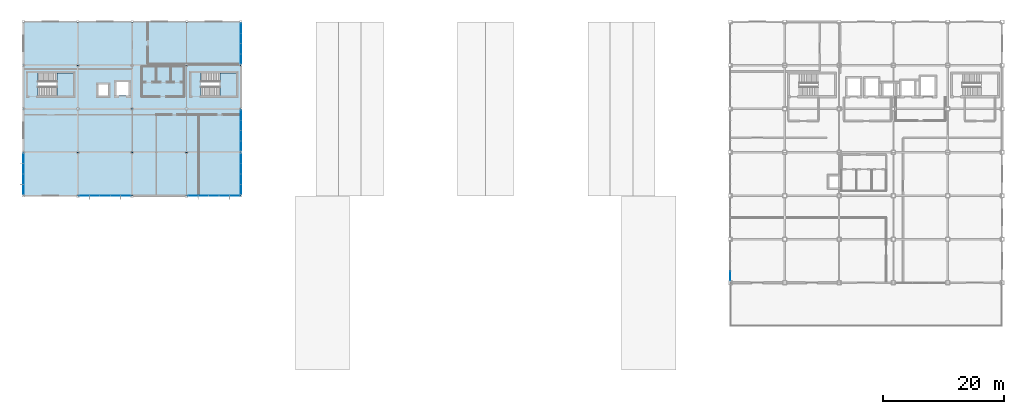
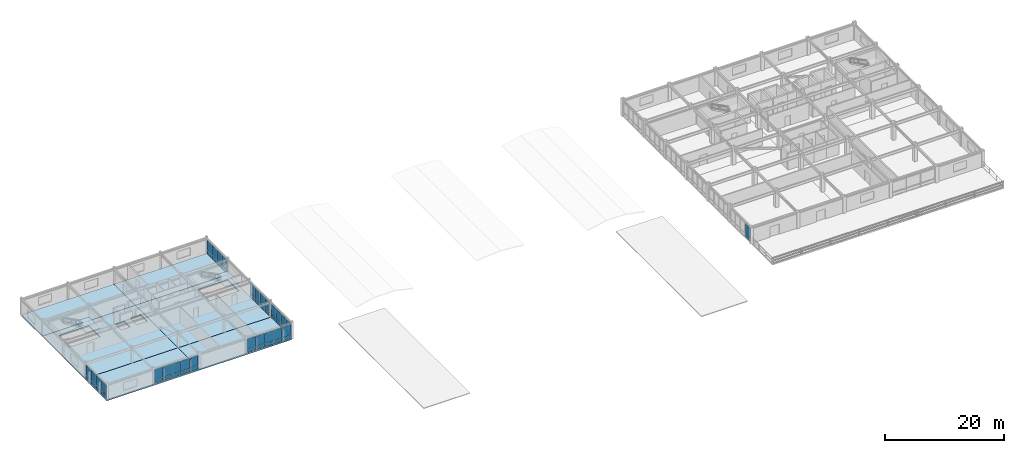
# One storey, part 24 of 34: 54 plates, 8 slabs, 9 elements without a shape of their own.
"""IFC4 building model written with IfcOpenShell, lengths in metres."""

from ifc_helpers import new_model, si_unit, direction, frame, origin, origin_2d, place, context, subcontext, project, spatial, polyline, rectangle, outline, extrude, material, layer, layer_set, type_object, element, aggregate, save


model = new_model("IFC4")

# Units and contexts
model_context = context("Model", 3, precision=1e-05, world=origin(), true_north=direction((0.0, 1.0)))
body_context = subcontext(model_context, "Body", "Model", "MODEL_VIEW")
ifc_project = project(units=[si_unit("LENGTHUNIT", "METRE"), si_unit("AREAUNIT", "SQUARE_METRE"), si_unit("VOLUMEUNIT", "CUBIC_METRE"), si_unit("PLANEANGLEUNIT", "RADIAN"), si_unit("MASSUNIT", "GRAM", prefix="KILO")], contexts=[model_context])

# Site, building, storey
site_placement = place(None, origin())
site = spatial("IfcSite", under=ifc_project, at=site_placement, CompositionType="ELEMENT")
building_placement = place(site_placement, origin())
building = spatial("IfcBuilding", under=site, at=building_placement, Name="Kazanami Central Library", CompositionType="ELEMENT")
storey_placement = place(building_placement, frame((0.0, 0.0, 17.0)))
storey = spatial("IfcBuildingStorey", under=building, at=storey_placement, Name="L05", CompositionType="ELEMENT", Elevation=17.0)

# Curtain wall, plates
ifc_material_1 = material(Name="Acid-Etched Low-E Laminated Glass", Category="glass")
curtain_wall_type_1 = type_object("IfcCurtainWallType", Name="CW-8600x2950-M180", PredefinedType="USERDEFINED", material=ifc_material_1)
curtain_wall_1_placement = place(storey_placement, origin())
curtain_wall_1 = element("IfcCurtainWall", 1, at=curtain_wall_1_placement, inside=storey, type_object=curtain_wall_type_1, Name="Unitised Curtain Wall CW-50 L05 S-K-01", ObjectType="UNITISED CURTAIN WALL", PredefinedType="USERDEFINED")
ifc_layer_1 = layer(ifc_material_1, 0.0439453125, Name="Acid-Etched Low-E Laminated Glass")
ifc_layer_set_1 = layer_set([ifc_layer_1], Name="Acid-Etched Low-E Laminated Glass")
plate_type_1 = type_object("IfcPlateType", Name="PLT-CW-P2", PredefinedType="CURTAIN_PANEL", material=ifc_layer_set_1)
plate_1_placement = place(storey_placement, frame((10.074951171875, 64.800048828125, 0.81005859375), z_axis=(0.0, 0.0, 1.0), x_axis=(1.0, 0.0, 0.0)))
plate_1 = element("IfcPlate", 2, at=plate_1_placement, type_object=plate_type_1, Name="CW-50 panel 1.2", PredefinedType="CURTAIN_PANEL", context=body_context, shape_type="SweptSolid", body=[
    extrude(rectangle(XDim=1.6298828125, YDim=0.0439453125, at=origin_2d()), origin(), (0.0, 0.0, 1.0), 2.080078125),
])
plate_2_placement = place(storey_placement, frame((11.780029296875, 64.800048828125, 0.81005859375), z_axis=(0.0, 0.0, 1.0), x_axis=(1.0, 0.0, 0.0)))
plate_2 = element("IfcPlate", 3, at=plate_2_placement, type_object=plate_type_1, Name="CW-50 panel 2.2", PredefinedType="CURTAIN_PANEL", context=body_context, shape_type="SweptSolid", body=[
    extrude(rectangle(XDim=1.659912109375, YDim=0.0439453125, at=origin_2d()), origin(), (0.0, 0.0, 1.0), 2.080078125),
])
plate_3_placement = place(storey_placement, frame((13.5, 64.800048828125, 0.81005859375), z_axis=(0.0, 0.0, 1.0), x_axis=(1.0, 0.0, 0.0)))
plate_3 = element("IfcPlate", 4, at=plate_3_placement, type_object=plate_type_1, Name="CW-50 panel 3.2", PredefinedType="CURTAIN_PANEL", context=body_context, shape_type="SweptSolid", body=[
    extrude(rectangle(XDim=1.659912109375, YDim=0.0439453125, at=origin_2d()), origin(), (0.0, 0.0, 1.0), 2.080078125),
])
plate_4_placement = place(storey_placement, frame((15.219970703125, 64.800048828125, 0.81005859375), z_axis=(0.0, 0.0, 1.0), x_axis=(1.0, 0.0, 0.0)))
plate_4 = element("IfcPlate", 5, at=plate_4_placement, type_object=plate_type_1, Name="CW-50 panel 4.2", PredefinedType="CURTAIN_PANEL", context=body_context, shape_type="SweptSolid", body=[
    extrude(rectangle(XDim=1.659912109375, YDim=0.0439453125, at=origin_2d()), origin(), (0.0, 0.0, 1.0), 2.080078125),
])
plate_5_placement = place(storey_placement, frame((16.925048828125, 64.800048828125, 0.81005859375), z_axis=(0.0, 0.0, 1.0), x_axis=(1.0, 0.0, 0.0)))
plate_5 = element("IfcPlate", 6, at=plate_5_placement, type_object=plate_type_1, Name="CW-50 panel 5.2", PredefinedType="CURTAIN_PANEL", context=body_context, shape_type="SweptSolid", body=[
    extrude(rectangle(XDim=1.6298828125, YDim=0.0439453125, at=origin_2d()), origin(), (0.0, 0.0, 1.0), 2.080078125),
])

curtain_wall_type_2 = type_object("IfcCurtainWallType", Name="CW-8625x2950-M180", PredefinedType="USERDEFINED", material=ifc_material_1)
curtain_wall_2_placement = place(storey_placement, origin())
curtain_wall_2 = element("IfcCurtainWall", 7, at=curtain_wall_2_placement, inside=storey, type_object=curtain_wall_type_2, Name="Unitised Curtain Wall CW-51 L05 S-K-03", ObjectType="UNITISED CURTAIN WALL", PredefinedType="USERDEFINED")
plate_6_placement = place(storey_placement, frame((28.077392578125, 64.800048828125, 0.81005859375), z_axis=(0.0, 0.0, 1.0), x_axis=(1.0, 0.0, 0.0)))
plate_6 = element("IfcPlate", 8, at=plate_6_placement, type_object=plate_type_1, Name="CW-51 panel 1.2", PredefinedType="CURTAIN_PANEL", context=body_context, shape_type="SweptSolid", body=[
    extrude(rectangle(XDim=1.635009765625, YDim=0.0439453125, at=origin_2d()), origin(), (0.0, 0.0, 1.0), 2.080078125),
])
plate_7_placement = place(storey_placement, frame((29.78759765625, 64.800048828125, 0.81005859375), z_axis=(0.0, 0.0, 1.0), x_axis=(1.0, 0.0, 0.0)))
plate_7 = element("IfcPlate", 9, at=plate_7_placement, type_object=plate_type_1, Name="CW-51 panel 2.2", PredefinedType="CURTAIN_PANEL", context=body_context, shape_type="SweptSolid", body=[
    extrude(rectangle(XDim=1.6650390625, YDim=0.0439453125, at=origin_2d()), origin(), (0.0, 0.0, 1.0), 2.080078125),
])
plate_8_placement = place(storey_placement, frame((31.512451171875, 64.800048828125, 0.81005859375), z_axis=(0.0, 0.0, 1.0), x_axis=(1.0, 0.0, 0.0)))
plate_8 = element("IfcPlate", 10, at=plate_8_placement, type_object=plate_type_1, Name="CW-51 panel 3.2", PredefinedType="CURTAIN_PANEL", context=body_context, shape_type="SweptSolid", body=[
    extrude(rectangle(XDim=1.6650390625, YDim=0.0439453125, at=origin_2d()), origin(), (0.0, 0.0, 1.0), 2.080078125),
])
plate_9_placement = place(storey_placement, frame((33.237548828125, 64.800048828125, 0.81005859375), z_axis=(0.0, 0.0, 1.0), x_axis=(1.0, 0.0, 0.0)))
plate_9 = element("IfcPlate", 11, at=plate_9_placement, type_object=plate_type_1, Name="CW-51 panel 4.2", PredefinedType="CURTAIN_PANEL", context=body_context, shape_type="SweptSolid", body=[
    extrude(rectangle(XDim=1.6650390625, YDim=0.0439453125, at=origin_2d()), origin(), (0.0, 0.0, 1.0), 2.080078125),
])
plate_10_placement = place(storey_placement, frame((34.947509765625, 64.800048828125, 0.81005859375), z_axis=(0.0, 0.0, 1.0), x_axis=(1.0, 0.0, 0.0)))
plate_10 = element("IfcPlate", 12, at=plate_10_placement, type_object=plate_type_1, Name="CW-51 panel 5.2", PredefinedType="CURTAIN_PANEL", context=body_context, shape_type="SweptSolid", body=[
    extrude(rectangle(XDim=1.635009765625, YDim=0.0439453125, at=origin_2d()), origin(), (0.0, 0.0, 1.0), 2.080078125),
])

curtain_wall_type_3 = type_object("IfcCurtainWallType", Name="CW-6850x2940-M180", PredefinedType="USERDEFINED", material=ifc_material_1)
curtain_wall_3_placement = place(storey_placement, origin())
curtain_wall_3 = element("IfcCurtainWall", 13, at=curtain_wall_3_placement, inside=storey, type_object=curtain_wall_type_3, Name="Unitised Curtain Wall CW-52 L05 W-1-09", ObjectType="UNITISED CURTAIN WALL", PredefinedType="USERDEFINED")
plate_11_placement = place(storey_placement, frame((0.0, 65.84619140625, 0.81005859375), z_axis=(0.0, 0.0, 1.0), x_axis=(0.0, 1.0, 0.0)))
plate_11 = element("IfcPlate", 14, at=plate_11_placement, type_object=plate_type_1, Name="CW-52 panel 1.2", PredefinedType="CURTAIN_PANEL", context=body_context, shape_type="SweptSolid", body=[
    extrude(rectangle(XDim=1.62255859375, YDim=0.0439453125, at=origin_2d()), origin(), (0.0, 0.0, 1.0), 2.070068359375),
])
plate_12_placement = place(storey_placement, frame((0.0, 67.543701171875, 0.81005859375), z_axis=(0.0, 0.0, 1.0), x_axis=(0.0, 1.0, 0.0)))
plate_12 = element("IfcPlate", 15, at=plate_12_placement, type_object=plate_type_1, Name="CW-52 panel 2.2", PredefinedType="CURTAIN_PANEL", context=body_context, shape_type="SweptSolid", body=[
    extrude(rectangle(XDim=1.652587890625, YDim=0.0439453125, at=origin_2d()), origin(), (0.0, 0.0, 1.0), 2.070068359375),
])
plate_13_placement = place(storey_placement, frame((0.0, 69.25634765625, 0.81005859375), z_axis=(0.0, 0.0, 1.0), x_axis=(0.0, 1.0, 0.0)))
plate_13 = element("IfcPlate", 16, at=plate_13_placement, type_object=plate_type_1, Name="CW-52 panel 3.2", PredefinedType="CURTAIN_PANEL", context=body_context, shape_type="SweptSolid", body=[
    extrude(rectangle(XDim=1.652587890625, YDim=0.0439453125, at=origin_2d()), origin(), (0.0, 0.0, 1.0), 2.070068359375),
])
plate_14_placement = place(storey_placement, frame((0.0, 70.953857421875, 0.81005859375), z_axis=(0.0, 0.0, 1.0), x_axis=(0.0, 1.0, 0.0)))
plate_14 = element("IfcPlate", 17, at=plate_14_placement, type_object=plate_type_1, Name="CW-52 panel 4.2", PredefinedType="CURTAIN_PANEL", context=body_context, shape_type="SweptSolid", body=[
    extrude(rectangle(XDim=1.62255859375, YDim=0.0439453125, at=origin_2d()), origin(), (0.0, 0.0, 1.0), 2.070068359375),
])

curtain_wall_4_placement = place(storey_placement, origin())
curtain_wall_4 = element("IfcCurtainWall", 18, at=curtain_wall_4_placement, inside=storey, type_object=curtain_wall_type_3, Name="Covered Link Bridge Curtain Wall CW-52 L05 E-5-09", ObjectType="UNITISED CURTAIN WALL", PredefinedType="USERDEFINED")
ifc_material_2 = material(Name="Low-E Insulated Triple Glass", Category="glass")
ifc_layer_2 = layer(ifc_material_2, 0.0400390625, Name="Low-E Insulated Triple Glass")
ifc_layer_set_2 = layer_set([ifc_layer_2], Name="Low-E Insulated Triple Glass")
plate_type_2 = type_object("IfcPlateType", Name="PLT-CW-P3", PredefinedType="CURTAIN_PANEL", material=ifc_layer_set_2)
plate_15_placement = place(storey_placement, frame((36.0, 70.953857421875, 0.81005859375), z_axis=(0.0, 0.0, 1.0), x_axis=(0.0, -1.0, 0.0)))
plate_15 = element("IfcPlate", 19, at=plate_15_placement, type_object=plate_type_2, Name="CW-52 panel 1.2", PredefinedType="CURTAIN_PANEL", context=body_context, shape_type="SweptSolid", body=[
    extrude(rectangle(XDim=1.62255859375, YDim=0.0400390625, at=origin_2d()), origin(), (0.0, 0.0, 1.0), 2.070068359375),
])
plate_16_placement = place(storey_placement, frame((36.0, 69.25634765625, 0.81005859375), z_axis=(0.0, 0.0, 1.0), x_axis=(0.0, -1.0, 0.0)))
plate_16 = element("IfcPlate", 20, at=plate_16_placement, type_object=plate_type_2, Name="CW-52 panel 2.2", PredefinedType="CURTAIN_PANEL", context=body_context, shape_type="SweptSolid", body=[
    extrude(rectangle(XDim=1.652587890625, YDim=0.0400390625, at=origin_2d()), origin(), (0.0, 0.0, 1.0), 2.070068359375),
])
plate_17_placement = place(storey_placement, frame((36.0, 67.543701171875, 0.81005859375), z_axis=(0.0, 0.0, 1.0), x_axis=(0.0, -1.0, 0.0)))
plate_17 = element("IfcPlate", 21, at=plate_17_placement, type_object=plate_type_2, Name="CW-52 panel 3.2", PredefinedType="CURTAIN_PANEL", context=body_context, shape_type="SweptSolid", body=[
    extrude(rectangle(XDim=1.652587890625, YDim=0.0400390625, at=origin_2d()), origin(), (0.0, 0.0, 1.0), 2.070068359375),
])
plate_18_placement = place(storey_placement, frame((36.0, 65.84619140625, 0.81005859375), z_axis=(0.0, 0.0, 1.0), x_axis=(0.0, -1.0, 0.0)))
plate_18 = element("IfcPlate", 22, at=plate_18_placement, type_object=plate_type_2, Name="CW-52 panel 4.2", PredefinedType="CURTAIN_PANEL", context=body_context, shape_type="SweptSolid", body=[
    extrude(rectangle(XDim=1.62255859375, YDim=0.0400390625, at=origin_2d()), origin(), (0.0, 0.0, 1.0), 2.070068359375),
])

curtain_wall_5_placement = place(storey_placement, origin())
curtain_wall_5 = element("IfcCurtainWall", 23, at=curtain_wall_5_placement, inside=storey, type_object=curtain_wall_type_3, Name="Covered Link Bridge Curtain Wall CW-52 L05 E-5-10", ObjectType="UNITISED CURTAIN WALL", PredefinedType="USERDEFINED")
plate_19_placement = place(storey_placement, frame((36.0, 78.15380859375, 0.81005859375), z_axis=(0.0, 0.0, 1.0), x_axis=(0.0, -1.0, 0.0)))
plate_19 = element("IfcPlate", 24, at=plate_19_placement, type_object=plate_type_2, Name="CW-52 panel 1.2", PredefinedType="CURTAIN_PANEL", context=body_context, shape_type="SweptSolid", body=[
    extrude(rectangle(XDim=1.62255859375, YDim=0.0400390625, at=origin_2d()), origin(), (0.0, 0.0, 1.0), 2.070068359375),
])
plate_20_placement = place(storey_placement, frame((36.0, 76.456298828125, 0.81005859375), z_axis=(0.0, 0.0, 1.0), x_axis=(0.0, -1.0, 0.0)))
plate_20 = element("IfcPlate", 25, at=plate_20_placement, type_object=plate_type_2, Name="CW-52 panel 2.2", PredefinedType="CURTAIN_PANEL", context=body_context, shape_type="SweptSolid", body=[
    extrude(rectangle(XDim=1.652587890625, YDim=0.0400390625, at=origin_2d()), origin(), (0.0, 0.0, 1.0), 2.070068359375),
])
plate_21_placement = place(storey_placement, frame((36.0, 74.74365234375, 0.81005859375), z_axis=(0.0, 0.0, 1.0), x_axis=(0.0, -1.0, 0.0)))
plate_21 = element("IfcPlate", 26, at=plate_21_placement, type_object=plate_type_2, Name="CW-52 panel 3.2", PredefinedType="CURTAIN_PANEL", context=body_context, shape_type="SweptSolid", body=[
    extrude(rectangle(XDim=1.652587890625, YDim=0.0400390625, at=origin_2d()), origin(), (0.0, 0.0, 1.0), 2.070068359375),
])
plate_22_placement = place(storey_placement, frame((36.0, 73.046142578125, 0.81005859375), z_axis=(0.0, 0.0, 1.0), x_axis=(0.0, -1.0, 0.0)))
plate_22 = element("IfcPlate", 27, at=plate_22_placement, type_object=plate_type_2, Name="CW-52 panel 4.2", PredefinedType="CURTAIN_PANEL", context=body_context, shape_type="SweptSolid", body=[
    extrude(rectangle(XDim=1.62255859375, YDim=0.0400390625, at=origin_2d()), origin(), (0.0, 0.0, 1.0), 2.070068359375),
])

curtain_wall_6_placement = place(storey_placement, origin())
curtain_wall_6 = element("IfcCurtainWall", 28, at=curtain_wall_6_placement, inside=storey, type_object=curtain_wall_type_3, Name="Covered Link Bridge Curtain Wall CW-52 L05 E-5-12", ObjectType="UNITISED CURTAIN WALL", PredefinedType="USERDEFINED")
plate_23_placement = place(storey_placement, frame((36.0, 92.5537109375, 0.81005859375), z_axis=(0.0, 0.0, 1.0), x_axis=(0.0, -1.0, 0.0)))
plate_23 = element("IfcPlate", 29, at=plate_23_placement, type_object=plate_type_2, Name="CW-52 panel 1.2", PredefinedType="CURTAIN_PANEL", context=body_context, shape_type="SweptSolid", body=[
    extrude(rectangle(XDim=1.62255859375, YDim=0.0400390625, at=origin_2d()), origin(), (0.0, 0.0, 1.0), 2.070068359375),
])
plate_24_placement = place(storey_placement, frame((36.0, 90.856201171875, 0.81005859375), z_axis=(0.0, 0.0, 1.0), x_axis=(0.0, -1.0, 0.0)))
plate_24 = element("IfcPlate", 30, at=plate_24_placement, type_object=plate_type_2, Name="CW-52 panel 2.2", PredefinedType="CURTAIN_PANEL", context=body_context, shape_type="SweptSolid", body=[
    extrude(rectangle(XDim=1.652587890625, YDim=0.0400390625, at=origin_2d()), origin(), (0.0, 0.0, 1.0), 2.070068359375),
])
plate_25_placement = place(storey_placement, frame((36.0, 89.143798828125, 0.81005859375), z_axis=(0.0, 0.0, 1.0), x_axis=(0.0, -1.0, 0.0)))
plate_25 = element("IfcPlate", 31, at=plate_25_placement, type_object=plate_type_2, Name="CW-52 panel 3.2", PredefinedType="CURTAIN_PANEL", context=body_context, shape_type="SweptSolid", body=[
    extrude(rectangle(XDim=1.652587890625, YDim=0.0400390625, at=origin_2d()), origin(), (0.0, 0.0, 1.0), 2.070068359375),
])
plate_26_placement = place(storey_placement, frame((36.0, 87.4462890625, 0.81005859375), z_axis=(0.0, 0.0, 1.0), x_axis=(0.0, -1.0, 0.0)))
plate_26 = element("IfcPlate", 32, at=plate_26_placement, type_object=plate_type_2, Name="CW-52 panel 4.2", PredefinedType="CURTAIN_PANEL", context=body_context, shape_type="SweptSolid", body=[
    extrude(rectangle(XDim=1.62255859375, YDim=0.0400390625, at=origin_2d()), origin(), (0.0, 0.0, 1.0), 2.070068359375),
])

# Curtain wall, plate
curtain_wall_type_4 = type_object("IfcCurtainWallType", Name="CW-6600x2960-M180", PredefinedType="USERDEFINED", material=ifc_material_1)
curtain_wall_7_placement = place(storey_placement, origin())
curtain_wall_7 = element("IfcCurtainWall", 33, at=curtain_wall_7_placement, inside=storey, type_object=curtain_wall_type_4, Name="Covered Link Bridge Curtain Wall CW-53 L05 W-14-07", ObjectType="UNITISED CURTAIN WALL", PredefinedType="USERDEFINED")
plate_27_placement = place(storey_placement, frame((117.0, 51.5400390625, 0.81005859375), z_axis=(0.0, 0.0, 1.0), x_axis=(0.0, 1.0, 0.0)))
plate_27 = element("IfcPlate", 34, at=plate_27_placement, type_object=plate_type_2, Name="CW-53 panel 1.2", PredefinedType="CURTAIN_PANEL", context=body_context, shape_type="SweptSolid", body=[
    extrude(rectangle(XDim=1.56005859375, YDim=0.0400390625, at=origin_2d()), origin(), (0.0, 0.0, 1.0), 2.090087890625),
])

# Plate
ifc_material_3 = material(Name="Anodised Aluminium A5052-H32", Category="aluminium")
ifc_layer_3 = layer(ifc_material_3, 0.052001953125, Name="Anodised Aluminium A5052-H32")
ifc_layer_set_3 = layer_set([ifc_layer_3], Name="Anodised Aluminium A5052-H32")
plate_type_3 = type_object("IfcPlateType", Name="PLT-CW-SP2", PredefinedType="CURTAIN_PANEL", material=ifc_layer_set_3)
plate_28_placement = place(storey_placement, frame((36.0, 70.953857421875, 0.06005859375), z_axis=(0.0, 0.0, 1.0), x_axis=(0.0, -1.0, 0.0)))
plate_28 = element("IfcPlate", 35, at=plate_28_placement, type_object=plate_type_3, Name="CW-52 panel 1.1", PredefinedType="CURTAIN_PANEL", context=body_context, shape_type="SweptSolid", body=[
    extrude(rectangle(XDim=1.62255859375, YDim=0.052001953125, at=origin_2d()), origin(), (0.0, 0.0, 1.0), 0.68994140625),
])

plate_29_placement = place(storey_placement, frame((36.0, 69.25634765625, 0.06005859375), z_axis=(0.0, 0.0, 1.0), x_axis=(0.0, -1.0, 0.0)))
plate_29 = element("IfcPlate", 36, at=plate_29_placement, type_object=plate_type_3, Name="CW-52 panel 2.1", PredefinedType="CURTAIN_PANEL", context=body_context, shape_type="SweptSolid", body=[
    extrude(rectangle(XDim=1.652587890625, YDim=0.052001953125, at=origin_2d()), origin(), (0.0, 0.0, 1.0), 0.68994140625),
])

plate_30_placement = place(storey_placement, frame((36.0, 67.543701171875, 0.06005859375), z_axis=(0.0, 0.0, 1.0), x_axis=(0.0, -1.0, 0.0)))
plate_30 = element("IfcPlate", 37, at=plate_30_placement, type_object=plate_type_3, Name="CW-52 panel 3.1", PredefinedType="CURTAIN_PANEL", context=body_context, shape_type="SweptSolid", body=[
    extrude(rectangle(XDim=1.652587890625, YDim=0.052001953125, at=origin_2d()), origin(), (0.0, 0.0, 1.0), 0.68994140625),
])

plate_31_placement = place(storey_placement, frame((36.0, 65.84619140625, 0.06005859375), z_axis=(0.0, 0.0, 1.0), x_axis=(0.0, -1.0, 0.0)))
plate_31 = element("IfcPlate", 38, at=plate_31_placement, type_object=plate_type_3, Name="CW-52 panel 4.1", PredefinedType="CURTAIN_PANEL", context=body_context, shape_type="SweptSolid", body=[
    extrude(rectangle(XDim=1.62255859375, YDim=0.052001953125, at=origin_2d()), origin(), (0.0, 0.0, 1.0), 0.68994140625),
])

aggregate(curtain_wall_4, [plate_28, plate_15, plate_29, plate_16, plate_30, plate_17, plate_31, plate_18])

plate_32_placement = place(storey_placement, frame((36.0, 78.15380859375, 0.06005859375), z_axis=(0.0, 0.0, 1.0), x_axis=(0.0, -1.0, 0.0)))
plate_32 = element("IfcPlate", 39, at=plate_32_placement, type_object=plate_type_3, Name="CW-52 panel 1.1", PredefinedType="CURTAIN_PANEL", context=body_context, shape_type="SweptSolid", body=[
    extrude(rectangle(XDim=1.62255859375, YDim=0.052001953125, at=origin_2d()), origin(), (0.0, 0.0, 1.0), 0.68994140625),
])

plate_33_placement = place(storey_placement, frame((36.0, 76.456298828125, 0.06005859375), z_axis=(0.0, 0.0, 1.0), x_axis=(0.0, -1.0, 0.0)))
plate_33 = element("IfcPlate", 40, at=plate_33_placement, type_object=plate_type_3, Name="CW-52 panel 2.1", PredefinedType="CURTAIN_PANEL", context=body_context, shape_type="SweptSolid", body=[
    extrude(rectangle(XDim=1.652587890625, YDim=0.052001953125, at=origin_2d()), origin(), (0.0, 0.0, 1.0), 0.68994140625),
])

plate_34_placement = place(storey_placement, frame((36.0, 74.74365234375, 0.06005859375), z_axis=(0.0, 0.0, 1.0), x_axis=(0.0, -1.0, 0.0)))
plate_34 = element("IfcPlate", 41, at=plate_34_placement, type_object=plate_type_3, Name="CW-52 panel 3.1", PredefinedType="CURTAIN_PANEL", context=body_context, shape_type="SweptSolid", body=[
    extrude(rectangle(XDim=1.652587890625, YDim=0.052001953125, at=origin_2d()), origin(), (0.0, 0.0, 1.0), 0.68994140625),
])

plate_35_placement = place(storey_placement, frame((36.0, 73.046142578125, 0.06005859375), z_axis=(0.0, 0.0, 1.0), x_axis=(0.0, -1.0, 0.0)))
plate_35 = element("IfcPlate", 42, at=plate_35_placement, type_object=plate_type_3, Name="CW-52 panel 4.1", PredefinedType="CURTAIN_PANEL", context=body_context, shape_type="SweptSolid", body=[
    extrude(rectangle(XDim=1.62255859375, YDim=0.052001953125, at=origin_2d()), origin(), (0.0, 0.0, 1.0), 0.68994140625),
])

aggregate(curtain_wall_5, [plate_32, plate_19, plate_33, plate_20, plate_34, plate_21, plate_35, plate_22])

plate_36_placement = place(storey_placement, frame((36.0, 92.5537109375, 0.06005859375), z_axis=(0.0, 0.0, 1.0), x_axis=(0.0, -1.0, 0.0)))
plate_36 = element("IfcPlate", 43, at=plate_36_placement, type_object=plate_type_3, Name="CW-52 panel 1.1", PredefinedType="CURTAIN_PANEL", context=body_context, shape_type="SweptSolid", body=[
    extrude(rectangle(XDim=1.62255859375, YDim=0.052001953125, at=origin_2d()), origin(), (0.0, 0.0, 1.0), 0.68994140625),
])

plate_37_placement = place(storey_placement, frame((36.0, 90.856201171875, 0.06005859375), z_axis=(0.0, 0.0, 1.0), x_axis=(0.0, -1.0, 0.0)))
plate_37 = element("IfcPlate", 44, at=plate_37_placement, type_object=plate_type_3, Name="CW-52 panel 2.1", PredefinedType="CURTAIN_PANEL", context=body_context, shape_type="SweptSolid", body=[
    extrude(rectangle(XDim=1.652587890625, YDim=0.052001953125, at=origin_2d()), origin(), (0.0, 0.0, 1.0), 0.68994140625),
])

plate_38_placement = place(storey_placement, frame((36.0, 89.143798828125, 0.06005859375), z_axis=(0.0, 0.0, 1.0), x_axis=(0.0, -1.0, 0.0)))
plate_38 = element("IfcPlate", 45, at=plate_38_placement, type_object=plate_type_3, Name="CW-52 panel 3.1", PredefinedType="CURTAIN_PANEL", context=body_context, shape_type="SweptSolid", body=[
    extrude(rectangle(XDim=1.652587890625, YDim=0.052001953125, at=origin_2d()), origin(), (0.0, 0.0, 1.0), 0.68994140625),
])

plate_39_placement = place(storey_placement, frame((36.0, 87.4462890625, 0.06005859375), z_axis=(0.0, 0.0, 1.0), x_axis=(0.0, -1.0, 0.0)))
plate_39 = element("IfcPlate", 46, at=plate_39_placement, type_object=plate_type_3, Name="CW-52 panel 4.1", PredefinedType="CURTAIN_PANEL", context=body_context, shape_type="SweptSolid", body=[
    extrude(rectangle(XDim=1.62255859375, YDim=0.052001953125, at=origin_2d()), origin(), (0.0, 0.0, 1.0), 0.68994140625),
])

aggregate(curtain_wall_6, [plate_36, plate_23, plate_37, plate_24, plate_38, plate_25, plate_39, plate_26])

plate_40_placement = place(storey_placement, frame((117.0, 51.5400390625, 0.06005859375), z_axis=(0.0, 0.0, 1.0), x_axis=(0.0, 1.0, 0.0)))
plate_40 = element("IfcPlate", 47, at=plate_40_placement, type_object=plate_type_3, Name="CW-53 panel 1.1", PredefinedType="CURTAIN_PANEL", context=body_context, shape_type="SweptSolid", body=[
    extrude(rectangle(XDim=1.56005859375, YDim=0.052001953125, at=origin_2d()), origin(), (0.0, 0.0, 1.0), 0.68994140625),
])

aggregate(curtain_wall_7, [plate_40, plate_27])

ifc_layer_4 = layer(ifc_material_3, 0.048095703125, Name="Anodised Aluminium A5052-H32")
ifc_layer_set_4 = layer_set([ifc_layer_4], Name="Anodised Aluminium A5052-H32")
plate_type_4 = type_object("IfcPlateType", Name="PLT-CW-SP3", PredefinedType="CURTAIN_PANEL", material=ifc_layer_set_4)
plate_41_placement = place(storey_placement, frame((10.074951171875, 64.800048828125, 0.06005859375), z_axis=(0.0, 0.0, 1.0), x_axis=(1.0, 0.0, 0.0)))
plate_41 = element("IfcPlate", 48, at=plate_41_placement, type_object=plate_type_4, Name="CW-50 panel 1.1", PredefinedType="CURTAIN_PANEL", context=body_context, shape_type="SweptSolid", body=[
    extrude(rectangle(XDim=1.6298828125, YDim=0.048095703125, at=origin_2d()), origin(), (0.0, 0.0, 1.0), 0.68994140625),
])

plate_42_placement = place(storey_placement, frame((11.780029296875, 64.800048828125, 0.06005859375), z_axis=(0.0, 0.0, 1.0), x_axis=(1.0, 0.0, 0.0)))
plate_42 = element("IfcPlate", 49, at=plate_42_placement, type_object=plate_type_4, Name="CW-50 panel 2.1", PredefinedType="CURTAIN_PANEL", context=body_context, shape_type="SweptSolid", body=[
    extrude(rectangle(XDim=1.659912109375, YDim=0.048095703125, at=origin_2d()), origin(), (0.0, 0.0, 1.0), 0.68994140625),
])

plate_43_placement = place(storey_placement, frame((13.5, 64.800048828125, 0.06005859375), z_axis=(0.0, 0.0, 1.0), x_axis=(1.0, 0.0, 0.0)))
plate_43 = element("IfcPlate", 50, at=plate_43_placement, type_object=plate_type_4, Name="CW-50 panel 3.1", PredefinedType="CURTAIN_PANEL", context=body_context, shape_type="SweptSolid", body=[
    extrude(rectangle(XDim=1.659912109375, YDim=0.048095703125, at=origin_2d()), origin(), (0.0, 0.0, 1.0), 0.68994140625),
])

plate_44_placement = place(storey_placement, frame((15.219970703125, 64.800048828125, 0.06005859375), z_axis=(0.0, 0.0, 1.0), x_axis=(1.0, 0.0, 0.0)))
plate_44 = element("IfcPlate", 51, at=plate_44_placement, type_object=plate_type_4, Name="CW-50 panel 4.1", PredefinedType="CURTAIN_PANEL", context=body_context, shape_type="SweptSolid", body=[
    extrude(rectangle(XDim=1.659912109375, YDim=0.048095703125, at=origin_2d()), origin(), (0.0, 0.0, 1.0), 0.68994140625),
])

plate_45_placement = place(storey_placement, frame((16.925048828125, 64.800048828125, 0.06005859375), z_axis=(0.0, 0.0, 1.0), x_axis=(1.0, 0.0, 0.0)))
plate_45 = element("IfcPlate", 52, at=plate_45_placement, type_object=plate_type_4, Name="CW-50 panel 5.1", PredefinedType="CURTAIN_PANEL", context=body_context, shape_type="SweptSolid", body=[
    extrude(rectangle(XDim=1.6298828125, YDim=0.048095703125, at=origin_2d()), origin(), (0.0, 0.0, 1.0), 0.68994140625),
])

aggregate(curtain_wall_1, [plate_41, plate_1, plate_42, plate_2, plate_43, plate_3, plate_44, plate_4, plate_45, plate_5])

plate_46_placement = place(storey_placement, frame((28.077392578125, 64.800048828125, 0.06005859375), z_axis=(0.0, 0.0, 1.0), x_axis=(1.0, 0.0, 0.0)))
plate_46 = element("IfcPlate", 53, at=plate_46_placement, type_object=plate_type_4, Name="CW-51 panel 1.1", PredefinedType="CURTAIN_PANEL", context=body_context, shape_type="SweptSolid", body=[
    extrude(rectangle(XDim=1.635009765625, YDim=0.048095703125, at=origin_2d()), origin(), (0.0, 0.0, 1.0), 0.68994140625),
])

plate_47_placement = place(storey_placement, frame((29.78759765625, 64.800048828125, 0.06005859375), z_axis=(0.0, 0.0, 1.0), x_axis=(1.0, 0.0, 0.0)))
plate_47 = element("IfcPlate", 54, at=plate_47_placement, type_object=plate_type_4, Name="CW-51 panel 2.1", PredefinedType="CURTAIN_PANEL", context=body_context, shape_type="SweptSolid", body=[
    extrude(rectangle(XDim=1.6650390625, YDim=0.048095703125, at=origin_2d()), origin(), (0.0, 0.0, 1.0), 0.68994140625),
])

plate_48_placement = place(storey_placement, frame((31.512451171875, 64.800048828125, 0.06005859375), z_axis=(0.0, 0.0, 1.0), x_axis=(1.0, 0.0, 0.0)))
plate_48 = element("IfcPlate", 55, at=plate_48_placement, type_object=plate_type_4, Name="CW-51 panel 3.1", PredefinedType="CURTAIN_PANEL", context=body_context, shape_type="SweptSolid", body=[
    extrude(rectangle(XDim=1.6650390625, YDim=0.048095703125, at=origin_2d()), origin(), (0.0, 0.0, 1.0), 0.68994140625),
])

plate_49_placement = place(storey_placement, frame((33.237548828125, 64.800048828125, 0.06005859375), z_axis=(0.0, 0.0, 1.0), x_axis=(1.0, 0.0, 0.0)))
plate_49 = element("IfcPlate", 56, at=plate_49_placement, type_object=plate_type_4, Name="CW-51 panel 4.1", PredefinedType="CURTAIN_PANEL", context=body_context, shape_type="SweptSolid", body=[
    extrude(rectangle(XDim=1.6650390625, YDim=0.048095703125, at=origin_2d()), origin(), (0.0, 0.0, 1.0), 0.68994140625),
])

plate_50_placement = place(storey_placement, frame((34.947509765625, 64.800048828125, 0.06005859375), z_axis=(0.0, 0.0, 1.0), x_axis=(1.0, 0.0, 0.0)))
plate_50 = element("IfcPlate", 57, at=plate_50_placement, type_object=plate_type_4, Name="CW-51 panel 5.1", PredefinedType="CURTAIN_PANEL", context=body_context, shape_type="SweptSolid", body=[
    extrude(rectangle(XDim=1.635009765625, YDim=0.048095703125, at=origin_2d()), origin(), (0.0, 0.0, 1.0), 0.68994140625),
])

aggregate(curtain_wall_2, [plate_46, plate_6, plate_47, plate_7, plate_48, plate_8, plate_49, plate_9, plate_50, plate_10])

plate_51_placement = place(storey_placement, frame((0.0, 65.84619140625, 0.06005859375), z_axis=(0.0, 0.0, 1.0), x_axis=(0.0, 1.0, 0.0)))
plate_51 = element("IfcPlate", 58, at=plate_51_placement, type_object=plate_type_4, Name="CW-52 panel 1.1", PredefinedType="CURTAIN_PANEL", context=body_context, shape_type="SweptSolid", body=[
    extrude(rectangle(XDim=1.62255859375, YDim=0.048095703125, at=origin_2d()), origin(), (0.0, 0.0, 1.0), 0.68994140625),
])

plate_52_placement = place(storey_placement, frame((0.0, 67.543701171875, 0.06005859375), z_axis=(0.0, 0.0, 1.0), x_axis=(0.0, 1.0, 0.0)))
plate_52 = element("IfcPlate", 59, at=plate_52_placement, type_object=plate_type_4, Name="CW-52 panel 2.1", PredefinedType="CURTAIN_PANEL", context=body_context, shape_type="SweptSolid", body=[
    extrude(rectangle(XDim=1.652587890625, YDim=0.048095703125, at=origin_2d()), origin(), (0.0, 0.0, 1.0), 0.68994140625),
])

plate_53_placement = place(storey_placement, frame((0.0, 69.25634765625, 0.06005859375), z_axis=(0.0, 0.0, 1.0), x_axis=(0.0, 1.0, 0.0)))
plate_53 = element("IfcPlate", 60, at=plate_53_placement, type_object=plate_type_4, Name="CW-52 panel 3.1", PredefinedType="CURTAIN_PANEL", context=body_context, shape_type="SweptSolid", body=[
    extrude(rectangle(XDim=1.652587890625, YDim=0.048095703125, at=origin_2d()), origin(), (0.0, 0.0, 1.0), 0.68994140625),
])

plate_54_placement = place(storey_placement, frame((0.0, 70.953857421875, 0.06005859375), z_axis=(0.0, 0.0, 1.0), x_axis=(0.0, 1.0, 0.0)))
plate_54 = element("IfcPlate", 61, at=plate_54_placement, type_object=plate_type_4, Name="CW-52 panel 4.1", PredefinedType="CURTAIN_PANEL", context=body_context, shape_type="SweptSolid", body=[
    extrude(rectangle(XDim=1.62255859375, YDim=0.048095703125, at=origin_2d()), origin(), (0.0, 0.0, 1.0), 0.68994140625),
])

aggregate(curtain_wall_3, [plate_51, plate_11, plate_52, plate_12, plate_53, plate_13, plate_54, plate_14])

# Slabs
ifc_material_4 = material(Name="Concrete Fc36 (36 MPa)", Category="concrete")
ifc_layer_5 = layer(ifc_material_4, 0.260009765625, Name="Concrete Fc36 (36 MPa)")
ifc_layer_set_5 = layer_set([ifc_layer_5], Name="Concrete Fc36 (36 MPa)")
slab_type_1 = type_object("IfcSlabType", Name="SLB-FLR-260", PredefinedType="FLOOR", material=ifc_layer_set_5)
slab_1_placement = place(storey_placement, frame((0.0, 0.0, -0.260009765625)))
element("IfcSlab", 62, at=slab_1_placement, inside=storey, type_object=slab_type_1, Name="Composite Floor Slab L05 V4-UPPER Zone 1", PredefinedType="FLOOR", context=body_context, shape_type="SweptSolid", body=[
    extrude(outline(polyline([(0.0, 64.800048828125), (18.0, 64.800048828125), (18.0, 72.0), (0.0, 72.0), (0.0, 64.800048828125)])), origin(), (0.0, 0.0, 1.0), 0.260009765625),
])
slab_2_placement = place(storey_placement, frame((0.0, 0.0, -0.260009765625)))
element("IfcSlab", 63, at=slab_2_placement, inside=storey, type_object=slab_type_1, Name="Composite Floor Slab L05 V4-UPPER Zone 2", PredefinedType="FLOOR", context=body_context, shape_type="SweptSolid", body=[
    extrude(outline(polyline([(0.0, 72.0), (18.0, 72.0), (18.0, 86.39990234375), (0.0, 86.39990234375), (0.0, 72.0)]), holes=[polyline([(2.39990234375, 81.35009765625), (8.25, 81.35009765625), (8.25, 85.14990234375), (2.39990234375, 85.14990234375), (2.39990234375, 81.35009765625)]), polyline([(15.375, 81.375), (17.425048828125, 81.375), (17.425048828125, 83.625), (15.375, 83.625), (15.375, 81.375)]), polyline([(12.35009765625, 81.35009765625), (14.050048828125, 81.35009765625), (14.050048828125, 83.25), (12.35009765625, 83.25), (12.35009765625, 81.35009765625)])]), origin(), (0.0, 0.0, 1.0), 0.260009765625),
])
slab_3_placement = place(storey_placement, frame((0.0, 0.0, -0.260009765625)))
element("IfcSlab", 64, at=slab_3_placement, inside=storey, type_object=slab_type_1, Name="Composite Floor Slab L05 V4-UPPER Zone 3", PredefinedType="FLOOR", context=body_context, shape_type="SweptSolid", body=[
    extrude(outline(polyline([(0.0, 86.39990234375), (18.0, 86.39990234375), (18.0, 93.60009765625), (0.0, 93.60009765625), (0.0, 86.39990234375)])), origin(), (0.0, 0.0, 1.0), 0.260009765625),
])
slab_4_placement = place(storey_placement, frame((0.0, 0.0, -0.260009765625)))
element("IfcSlab", 65, at=slab_4_placement, inside=storey, type_object=slab_type_1, Name="Composite Floor Slab L05 V4-UPPER Zone 4", PredefinedType="FLOOR", context=body_context, shape_type="SweptSolid", body=[
    extrude(outline(polyline([(18.0, 64.800048828125), (36.0, 64.800048828125), (36.0, 72.0), (18.0, 72.0), (18.0, 64.800048828125)])), origin(), (0.0, 0.0, 1.0), 0.260009765625),
])
slab_5_placement = place(storey_placement, frame((0.0, 0.0, -0.260009765625)))
element("IfcSlab", 66, at=slab_5_placement, inside=storey, type_object=slab_type_1, Name="Composite Floor Slab L05 V4-UPPER Zone 5", PredefinedType="FLOOR", context=body_context, shape_type="SweptSolid", body=[
    extrude(outline(polyline([(18.0, 72.0), (36.0, 72.0), (36.0, 86.39990234375), (18.0, 86.39990234375), (18.0, 72.0)]), holes=[polyline([(29.39990234375, 81.35009765625), (35.25, 81.35009765625), (35.25, 85.14990234375), (29.39990234375, 85.14990234375), (29.39990234375, 81.35009765625)])]), origin(), (0.0, 0.0, 1.0), 0.260009765625),
])
slab_6_placement = place(storey_placement, frame((0.0, 0.0, -0.260009765625)))
element("IfcSlab", 67, at=slab_6_placement, inside=storey, type_object=slab_type_1, Name="Composite Floor Slab L05 V4-UPPER Zone 6", PredefinedType="FLOOR", context=body_context, shape_type="SweptSolid", body=[
    extrude(outline(polyline([(18.0, 86.39990234375), (36.0, 86.39990234375), (36.0, 93.60009765625), (18.0, 93.60009765625), (18.0, 86.39990234375)])), origin(), (0.0, 0.0, 1.0), 0.260009765625),
])

# Stair, slab
stair_type = type_object("IfcStairType", Name="STR-T36", PredefinedType="HALF_TURN_STAIR", material=ifc_material_4)
stair_1_placement = place(storey_placement, origin())
stair_1 = element("IfcStair", 68, at=stair_1_placement, inside=storey, type_object=stair_type, Name="Enclosed Escape Stair ST-05 (L05)", PredefinedType="HALF_TURN_STAIR")
ifc_layer_6 = layer(ifc_material_4, 0.179931640625, Name="Concrete Fc36 (36 MPa)")
ifc_layer_set_6 = layer_set([ifc_layer_6], Name="Concrete Fc36 (36 MPa)")
slab_type_2 = type_object("IfcSlabType", Name="SLB-LND-180", PredefinedType="LANDING", material=ifc_layer_set_6)
slab_7_placement = place(storey_placement, frame((0.0, 0.0, 1.6201171875)))
slab_7 = element("IfcSlab", 69, at=slab_7_placement, type_object=slab_type_2, Name="ST-05 landing 1", PredefinedType="LANDING", context=body_context, shape_type="SweptSolid", body=[
    extrude(outline(polyline([(5.548095703125, 81.35009765625), (8.25, 81.35009765625), (8.25, 85.14990234375), (5.548095703125, 85.14990234375), (5.548095703125, 81.35009765625)])), origin(), (0.0, 0.0, 1.0), 0.179931640625),
])
aggregate(stair_1, [slab_7])

stair_2_placement = place(storey_placement, origin())
stair_2 = element("IfcStair", 70, at=stair_2_placement, inside=storey, type_object=stair_type, Name="Enclosed Escape Stair ST-06 (L05)", PredefinedType="HALF_TURN_STAIR")
slab_8_placement = place(storey_placement, frame((0.0, 0.0, 1.6201171875)))
slab_8 = element("IfcSlab", 71, at=slab_8_placement, type_object=slab_type_2, Name="ST-06 landing 1", PredefinedType="LANDING", context=body_context, shape_type="SweptSolid", body=[
    extrude(outline(polyline([(32.548095703125, 81.35009765625), (35.25, 81.35009765625), (35.25, 85.14990234375), (32.548095703125, 85.14990234375), (32.548095703125, 81.35009765625)])), origin(), (0.0, 0.0, 1.0), 0.179931640625),
])
aggregate(stair_2, [slab_8])

save(model, "model.ifc")
